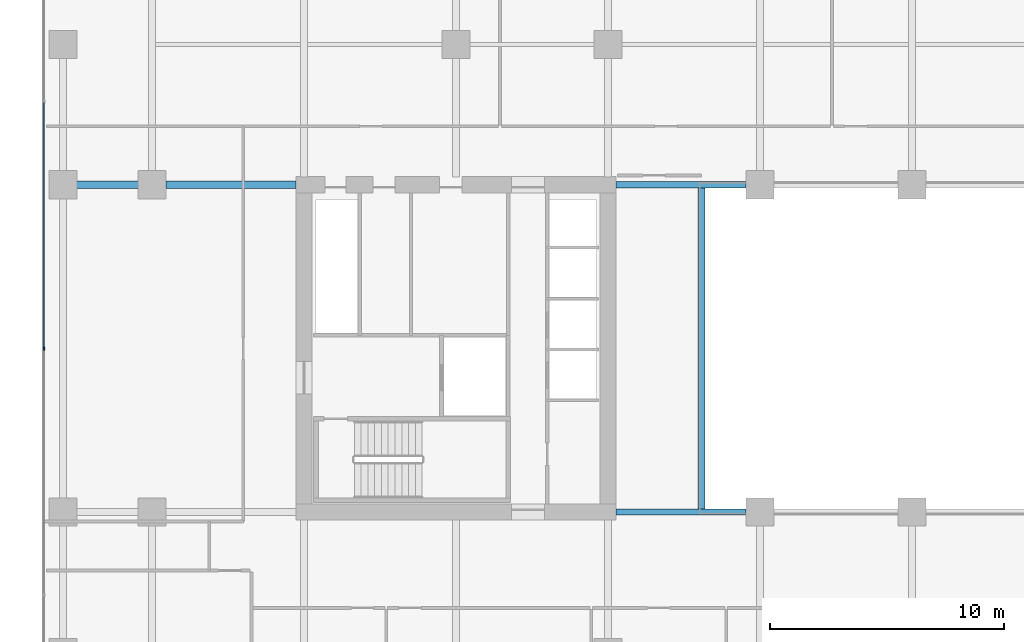
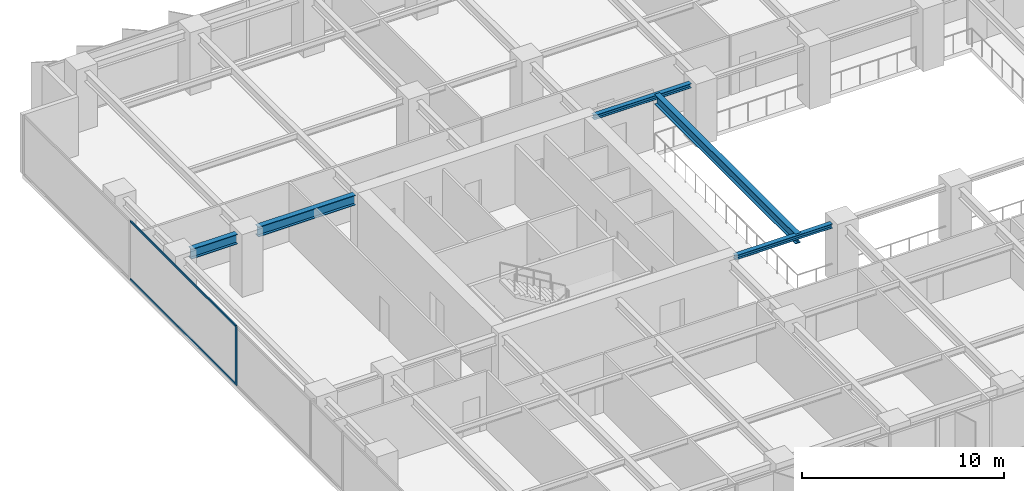
# One storey, part 4 of 20: 5 beams, 3 members, 1 element without a shape of its own.
"""IFC4 building model written with IfcOpenShell, lengths in metres."""

from ifc_helpers import new_model, si_unit, direction, frame, origin, origin_2d, place, context, subcontext, project, spatial, rectangle, i_section, extrude, material, layer, layer_set, material_profile, profile_set, type_object, element, aggregate, save


model = new_model("IFC4")

# Units and contexts
model_context = context("Model", 3, precision=1e-05, world=origin(), true_north=direction((0.0, 1.0)))
body_context = subcontext(model_context, "Body", "Model", "MODEL_VIEW")
ifc_project = project(units=[si_unit("LENGTHUNIT", "METRE"), si_unit("AREAUNIT", "SQUARE_METRE"), si_unit("VOLUMEUNIT", "CUBIC_METRE"), si_unit("PLANEANGLEUNIT", "RADIAN"), si_unit("MASSUNIT", "GRAM", prefix="KILO")], contexts=[model_context])

# Site, building, storey
site_placement = place(None, origin())
site = spatial("IfcSite", under=ifc_project, at=site_placement, CompositionType="ELEMENT")
building_placement = place(site_placement, origin())
building = spatial("IfcBuilding", under=site, at=building_placement, Name="Putna Gate Headquarters", CompositionType="ELEMENT")
storey_placement = place(building_placement, frame((0.0, 0.0, 93.60009765625)))
storey = spatial("IfcBuildingStorey", under=building, at=storey_placement, Name="L22", CompositionType="ELEMENT", Elevation=93.60009765625)

# Beams
ifc_material_1 = material(Name="Steel S355J2", Category="steel")
ifc_material_profile_1 = material_profile(ifc_material_1, i_section(OverallWidth=0.260009765625, OverallDepth=0.260009765625, WebThickness=0.010009765625, FlangeThickness=0.017578125, at=origin_2d()), Name="Steel S355J2")
ifc_profile_set_1 = profile_set([ifc_material_profile_1], Name="Steel S355J2")
beam_type_1 = type_object("IfcBeamType", Name="BM-ATRIUM-HEB260", PredefinedType="BEAM", material=ifc_profile_set_1)
for number, where, z_axis, x_axis, name in (
    (1, (26.3349609375, 19.0, 3.434814453125), (1.0, 0.0, 0.0), (0.0, 1.0, 0.0), "L22 Atrium Edge Beam AS1"),
    (2, (26.3349609375, 33.0, 3.434814453125), (1.0, 0.0, 0.0), (0.0, 1.0, 0.0), "L22 Atrium Edge Beam AN1"),
):
    element("IfcBeam", number, at=place(storey_placement, frame(where, z_axis=z_axis, x_axis=x_axis)), inside=storey, type_object=beam_type_1, Name=name, PredefinedType="BEAM", context=body_context, shape_type="SweptSolid", body=[
        extrude(i_section(OverallWidth=0.260009765625, OverallDepth=0.260009765625, WebThickness=0.010009765625, FlangeThickness=0.017578125, at=origin_2d()), origin(), (0.0, 0.0, 1.0), 5.5771484375),
    ])
ifc_material_profile_2 = material_profile(ifc_material_1, i_section(OverallWidth=0.300048828125, OverallDepth=0.60009765625, WebThickness=0.015380859375, FlangeThickness=0.030029296875, at=origin_2d()), Name="Steel S355J2")
ifc_profile_set_2 = profile_set([ifc_material_profile_2], Name="Steel S355J2")
beam_type_2 = type_object("IfcBeamType", Name="BM-GIRD-Z2-HEB600", PredefinedType="USERDEFINED", material=ifc_profile_set_2)
beam_1_placement = place(storey_placement, frame((3.26806640625, 33.0, 3.264892578125), z_axis=(1.0, 0.0, 0.0), x_axis=(0.0, 1.0, 0.0)))
element("IfcBeam", 3, at=beam_1_placement, inside=storey, type_object=beam_type_2, Name="L22 West Wing Girder Y33-1", ObjectType="GIRDER", PredefinedType="USERDEFINED", context=body_context, shape_type="SweptSolid", body=[
    extrude(i_section(OverallWidth=0.300048828125, OverallDepth=0.60009765625, WebThickness=0.015380859375, FlangeThickness=0.030029296875, at=origin_2d()), origin(), (0.0, 0.0, 1.0), 2.64404296875),
])
beam_2_placement = place(storey_placement, frame((7.087890625, 33.0, 3.264892578125), z_axis=(1.0, 0.0, 0.0), x_axis=(0.0, 1.0, 0.0)))
element("IfcBeam", 4, at=beam_2_placement, inside=storey, type_object=beam_type_2, Name="L22 West Wing Girder Y33-2", ObjectType="GIRDER", PredefinedType="USERDEFINED", context=body_context, shape_type="SweptSolid", body=[
    extrude(i_section(OverallWidth=0.300048828125, OverallDepth=0.60009765625, WebThickness=0.015380859375, FlangeThickness=0.030029296875, at=origin_2d()), origin(), (0.0, 0.0, 1.0), 5.5771484375),
])
beam_3_placement = place(storey_placement, frame((30.0, 19.010009765625, 3.264892578125), z_axis=(0.0, 1.0, 0.0), x_axis=(-1.0, 0.0, 0.0)))
element("IfcBeam", 5, at=beam_3_placement, inside=storey, type_object=beam_type_2, Name="L22 Atrium Trim Girder AW", ObjectType="GIRDER", PredefinedType="USERDEFINED", context=body_context, shape_type="SweptSolid", body=[
    extrude(i_section(OverallWidth=0.300048828125, OverallDepth=0.60009765625, WebThickness=0.015380859375, FlangeThickness=0.030029296875, at=origin_2d()), origin(), (0.0, 0.0, 1.0), 13.97998046875),
])

# Curtain wall, members
ifc_material_2 = material(Name="Anodised bronze aluminium curtain wall", Category="aluminium")
ifc_layer = layer(ifc_material_2, 0.159912109375)
ifc_layer_set = layer_set([ifc_layer], Name="Anodised bronze aluminium curtain wall")
curtain_wall_type = type_object("IfcCurtainWallType", Name="CW-SYS-Z2", PredefinedType="USERDEFINED", material=ifc_layer_set)
curtain_wall_placement = place(storey_placement, origin())
curtain_wall = element("IfcCurtainWall", 6, at=curtain_wall_placement, inside=storey, type_object=curtain_wall_type, Name="L22 West Curtain Wall", ObjectType="STICK CURTAIN WALL", PredefinedType="USERDEFINED")
ifc_material_3 = material(Name="Anodised bronze aluminium EN AW-6060", Category="aluminium")
ifc_material_profile_3 = material_profile(ifc_material_3, rectangle(XDim=0.06494140625, YDim=0.159912109375, at=origin_2d()), Name="Anodised bronze aluminium EN AW-6060")
ifc_profile_set_3 = profile_set([ifc_material_profile_3], Name="Anodised bronze aluminium EN AW-6060")
member_type_1 = type_object("IfcMemberType", Name="MULL-CWM-2", PredefinedType="MULLION", material=ifc_profile_set_3)
member_1_placement = place(storey_placement, frame((1.8798828125, 26.0, 0.0), z_axis=(0.0, 0.0, 1.0), x_axis=(-1.0, 0.0, 0.0)))
member_1 = element("IfcMember", 7, at=member_1_placement, type_object=member_type_1, Name="CWS-2 mullion 3", PredefinedType="MULLION", context=body_context, shape_type="SweptSolid", body=[
    extrude(rectangle(XDim=0.06494140625, YDim=0.159912109375, at=origin_2d()), origin(), (0.0, 0.0, 1.0), 3.56494140625),
])
ifc_material_profile_4 = material_profile(ifc_material_3, rectangle(XDim=0.06494140625, YDim=0.1201171875, at=origin_2d()), Name="Anodised bronze aluminium EN AW-6060")
ifc_profile_set_4 = profile_set([ifc_material_profile_4], Name="Anodised bronze aluminium EN AW-6060")
member_type_2 = type_object("IfcMemberType", Name="TRAN-CWT-2", PredefinedType="USERDEFINED", material=ifc_profile_set_4)
member_2_placement = place(storey_placement, frame((1.8798828125, 26.032470703125, 0.032470703125), z_axis=(0.0, 1.0, 0.0), x_axis=(-1.0, 0.0, 0.0)))
member_2 = element("IfcMember", 8, at=member_2_placement, type_object=member_type_2, Name="CWS-2 transom 3.1", ObjectType="TRANSOM", PredefinedType="USERDEFINED", context=body_context, shape_type="SweptSolid", body=[
    extrude(rectangle(XDim=0.06494140625, YDim=0.1201171875, at=origin_2d()), origin(), (0.0, 0.0, 1.0), 10.485107421875),
])
member_3_placement = place(storey_placement, frame((1.8798828125, 26.032470703125, 3.532470703125), z_axis=(0.0, 1.0, 0.0), x_axis=(-1.0, 0.0, 0.0)))
member_3 = element("IfcMember", 9, at=member_3_placement, type_object=member_type_2, Name="CWS-2 transom 3.2", ObjectType="TRANSOM", PredefinedType="USERDEFINED", context=body_context, shape_type="SweptSolid", body=[
    extrude(rectangle(XDim=0.06494140625, YDim=0.1201171875, at=origin_2d()), origin(), (0.0, 0.0, 1.0), 10.485107421875),
])
aggregate(curtain_wall, [member_1, member_2, member_3])

save(model, "model.ifc")
